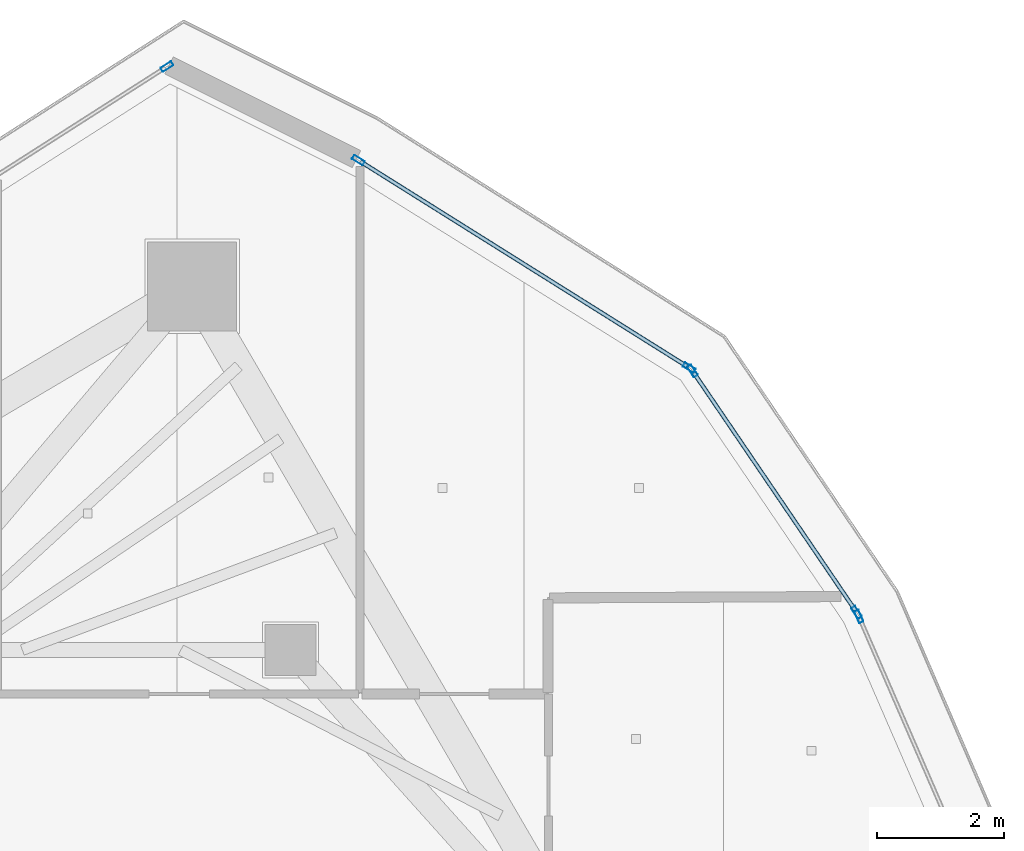
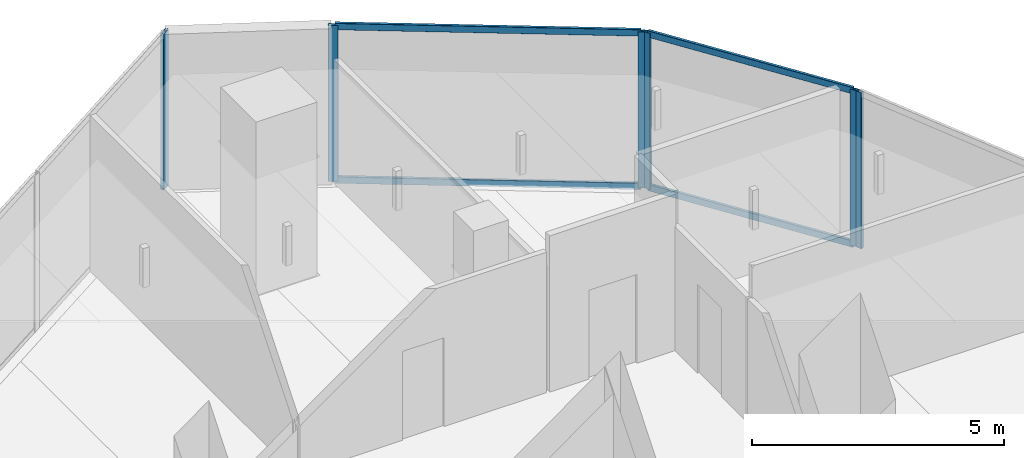
# One storey, part 16 of 26: 10 members, 4 elements without a shape of their own.
"""IFC4 building model written with IfcOpenShell, lengths in metres."""

from ifc_helpers import new_model, si_unit, direction, frame, origin, origin_2d, place, context, subcontext, project, spatial, hollow_rectangle, extrude, material, layer, layer_set, material_profile, profile_set, type_object, element, aggregate, save


model = new_model("IFC4")

# Units and contexts
model_context = context("Model", 3, precision=1e-05, world=origin(), true_north=direction((0.0, 1.0)))
body_context = subcontext(model_context, "Body", "Model", "MODEL_VIEW")
ifc_project = project(units=[si_unit("LENGTHUNIT", "METRE"), si_unit("AREAUNIT", "SQUARE_METRE"), si_unit("VOLUMEUNIT", "CUBIC_METRE"), si_unit("PLANEANGLEUNIT", "RADIAN"), si_unit("MASSUNIT", "GRAM", prefix="KILO")], contexts=[model_context])

# Site, building, storey
site_placement = place(None, origin())
site = spatial("IfcSite", under=ifc_project, at=site_placement, CompositionType="ELEMENT")
building_placement = place(site_placement, origin())
building = spatial("IfcBuilding", under=site, at=building_placement, Name="Qorvath Tower", CompositionType="ELEMENT")
storey_placement = place(building_placement, frame((0.0, 0.0, 322.800048828125)))
storey = spatial("IfcBuildingStorey", under=building, at=storey_placement, Name="L75", CompositionType="ELEMENT", Elevation=322.800048828125)

# Curtain wall, member
ifc_material_1 = material(Name="Anodised aluminium and triple low-E glass", Category="aluminium")
ifc_layer = layer(ifc_material_1, 0.179931640625)
ifc_layer_set = layer_set([ifc_layer], Name="CW-SYS-4")
curtain_wall_type = type_object("IfcCurtainWallType", Name="CW-SYS-4", PredefinedType="NOTDEFINED", material=ifc_layer_set)
curtain_wall_1_placement = place(storey_placement, origin())
curtain_wall_1 = element("IfcCurtainWall", 1, at=curtain_wall_1_placement, inside=storey, type_object=curtain_wall_type, Name="Curtain Wall CW-4 CW-T-L75-12.1", PredefinedType="NOTDEFINED")
ifc_material_2 = material(Name="Anodised aluminium 6063-T6", Category="aluminium")
ifc_material_profile_1 = material_profile(ifc_material_2, hollow_rectangle(XDim=0.074951171875, YDim=0.199951171875, WallThickness=0.00390625, InnerFilletRadius=0.00390625, OuterFilletRadius=0.008056640625, at=origin_2d()), Name="CWM 200x75")
ifc_profile_set_1 = profile_set([ifc_material_profile_1], Name="Anodised aluminium 6063-T6")
member_type_1 = type_object("IfcMemberType", Name="CWM-200", PredefinedType="MULLION", material=ifc_profile_set_1)
member_1_placement = place(storey_placement, frame((-8.2529296875, 11.9775390625, 0.0), z_axis=(0.0, 0.0, 1.0), x_axis=(-0.917439987233, -0.397874188439, 0.0)))
member_1 = element("IfcMember", 2, at=member_1_placement, type_object=member_type_1, Name="CW-4 mullion 2", PredefinedType="MULLION", context=body_context, shape_type="SweptSolid", body=[
    extrude(hollow_rectangle(XDim=0.074951171875, YDim=0.199951171875, WallThickness=0.00390625, InnerFilletRadius=0.00390625, OuterFilletRadius=0.008056640625, at=origin_2d()), origin(), (0.0, 0.0, 1.0), 3.780029296875),
])
aggregate(curtain_wall_1, [member_1])

# Curtain wall, members
curtain_wall_2_placement = place(storey_placement, origin())
curtain_wall_2 = element("IfcCurtainWall", 3, at=curtain_wall_2_placement, inside=storey, type_object=curtain_wall_type, Name="Curtain Wall CW-4 CW-T-L75-13.1", PredefinedType="NOTDEFINED")
member_2_placement = place(storey_placement, frame((-8.288818359375, 12.04296875, 0.0), z_axis=(0.0, 0.0, 1.0), x_axis=(-0.827030019588, -0.56215775962, 0.0)))
member_2 = element("IfcMember", 4, at=member_2_placement, type_object=member_type_1, Name="CW-4 mullion 1", PredefinedType="MULLION", context=body_context, shape_type="SweptSolid", body=[
    extrude(hollow_rectangle(XDim=0.074951171875, YDim=0.199951171875, WallThickness=0.00390625, InnerFilletRadius=0.00390625, OuterFilletRadius=0.008056640625, at=origin_2d()), origin(), (0.0, 0.0, 1.0), 3.780029296875),
])
member_3_placement = place(storey_placement, frame((-10.87255859375, 15.843994140625, 0.0), z_axis=(0.0, 0.0, 1.0), x_axis=(-0.827030019588, -0.56215775962, 0.0)))
member_3 = element("IfcMember", 5, at=member_3_placement, type_object=member_type_1, Name="CW-4 mullion 2", PredefinedType="MULLION", context=body_context, shape_type="SweptSolid", body=[
    extrude(hollow_rectangle(XDim=0.074951171875, YDim=0.199951171875, WallThickness=0.00390625, InnerFilletRadius=0.00390625, OuterFilletRadius=0.008056640625, at=origin_2d()), origin(), (0.0, 0.0, 1.0), 3.780029296875),
])

curtain_wall_3_placement = place(storey_placement, origin())
curtain_wall_3 = element("IfcCurtainWall", 6, at=curtain_wall_3_placement, inside=storey, type_object=curtain_wall_type, Name="Curtain Wall CW-4 CW-T-L75-14.1", PredefinedType="NOTDEFINED")
member_4_placement = place(storey_placement, frame((-10.92529296875, 15.89501953125, 0.0), z_axis=(0.0, 0.0, 1.0), x_axis=(-0.531308786661, -0.847178241704, 0.0)))
member_4 = element("IfcMember", 7, at=member_4_placement, type_object=member_type_1, Name="CW-4 mullion 1", PredefinedType="MULLION", context=body_context, shape_type="SweptSolid", body=[
    extrude(hollow_rectangle(XDim=0.074951171875, YDim=0.199951171875, WallThickness=0.00390625, InnerFilletRadius=0.00390625, OuterFilletRadius=0.008056640625, at=origin_2d()), origin(), (0.0, 0.0, 1.0), 3.780029296875),
])
member_5_placement = place(storey_placement, frame((-16.13232421875, 19.160400390625, 0.0), z_axis=(0.0, 0.0, 1.0), x_axis=(-0.531308786661, -0.847178241704, 0.0)))
member_5 = element("IfcMember", 8, at=member_5_placement, type_object=member_type_1, Name="CW-4 mullion 2", PredefinedType="MULLION", context=body_context, shape_type="SweptSolid", body=[
    extrude(hollow_rectangle(XDim=0.074951171875, YDim=0.199951171875, WallThickness=0.00390625, InnerFilletRadius=0.00390625, OuterFilletRadius=0.008056640625, at=origin_2d()), origin(), (0.0, 0.0, 1.0), 3.780029296875),
])

# Curtain wall, member
curtain_wall_4_placement = place(storey_placement, origin())
curtain_wall_4 = element("IfcCurtainWall", 9, at=curtain_wall_4_placement, inside=storey, type_object=curtain_wall_type, Name="Curtain Wall CW-4 CW-T-L75-16.1", PredefinedType="NOTDEFINED")
member_6_placement = place(storey_placement, frame((-19.146240234375, 20.635498046875, 0.0), z_axis=(0.0, 0.0, 1.0), x_axis=(0.538535622768, -0.842602743296, 0.0)))
member_6 = element("IfcMember", 10, at=member_6_placement, type_object=member_type_1, Name="CW-4 mullion 1", PredefinedType="MULLION", context=body_context, shape_type="SweptSolid", body=[
    extrude(hollow_rectangle(XDim=0.074951171875, YDim=0.199951171875, WallThickness=0.00390625, InnerFilletRadius=0.00390625, OuterFilletRadius=0.008056640625, at=origin_2d()), origin(), (0.0, 0.0, 1.0), 3.780029296875),
])
aggregate(curtain_wall_4, [member_6])

# Member
ifc_material_3 = material(Name="Anodised aluminium 6063-T6", Category="aluminium")
ifc_material_profile_2 = material_profile(ifc_material_3, hollow_rectangle(XDim=0.06494140625, YDim=0.159912109375, WallThickness=0.00341796875, InnerFilletRadius=0.00341796875, OuterFilletRadius=0.007080078125, at=origin_2d()), Name="CWT 160x65")
ifc_profile_set_2 = profile_set([ifc_material_profile_2], Name="Anodised aluminium 6063-T6")
member_type_2 = type_object("IfcMemberType", Name="CWT-160", PredefinedType="USERDEFINED", material=ifc_profile_set_2)
member_7_placement = place(storey_placement, frame((-8.31005859375, 12.073974609375, 0.032470703125), z_axis=(-0.562117982192, 0.827057056131, 0.0), x_axis=(-0.827057056131, -0.562117982192, 0.0)))
member_7 = element("IfcMember", 11, at=member_7_placement, type_object=member_type_2, Name="CW-4 transom 1.1", ObjectType="TRANSOM", PredefinedType="USERDEFINED", context=body_context, shape_type="SweptSolid", body=[
    extrude(hollow_rectangle(XDim=0.06494140625, YDim=0.159912109375, WallThickness=0.00341796875, InnerFilletRadius=0.00341796875, OuterFilletRadius=0.007080078125, at=origin_2d()), origin(), (0.0, 0.0, 1.0), 4.520751953125),
])

member_8_placement = place(storey_placement, frame((-8.31005859375, 12.073974609375, 3.74755859375), z_axis=(-0.562117982192, 0.827057056131, 0.0), x_axis=(-0.827057056131, -0.562117982192, 0.0)))
member_8 = element("IfcMember", 12, at=member_8_placement, type_object=member_type_2, Name="CW-4 transom 1.2", ObjectType="TRANSOM", PredefinedType="USERDEFINED", context=body_context, shape_type="SweptSolid", body=[
    extrude(hollow_rectangle(XDim=0.06494140625, YDim=0.159912109375, WallThickness=0.00341796875, InnerFilletRadius=0.00341796875, OuterFilletRadius=0.007080078125, at=origin_2d()), origin(), (0.0, 0.0, 1.0), 4.520751953125),
])

aggregate(curtain_wall_2, [member_2, member_3, member_7, member_8])

member_9_placement = place(storey_placement, frame((-10.95703125, 15.914794921875, 0.032470703125), z_axis=(-0.847174981643, 0.531313984832, 0.0), x_axis=(-0.531313984832, -0.847174981643, 0.0)))
member_9 = element("IfcMember", 13, at=member_9_placement, type_object=member_type_2, Name="CW-4 transom 1.1", ObjectType="TRANSOM", PredefinedType="USERDEFINED", context=body_context, shape_type="SweptSolid", body=[
    extrude(hollow_rectangle(XDim=0.06494140625, YDim=0.159912109375, WallThickness=0.00341796875, InnerFilletRadius=0.00341796875, OuterFilletRadius=0.007080078125, at=origin_2d()), origin(), (0.0, 0.0, 1.0), 6.071533203125),
])

member_10_placement = place(storey_placement, frame((-10.95703125, 15.914794921875, 3.74755859375), z_axis=(-0.847174981643, 0.531313984832, 0.0), x_axis=(-0.531313984832, -0.847174981643, 0.0)))
member_10 = element("IfcMember", 14, at=member_10_placement, type_object=member_type_2, Name="CW-4 transom 1.2", ObjectType="TRANSOM", PredefinedType="USERDEFINED", context=body_context, shape_type="SweptSolid", body=[
    extrude(hollow_rectangle(XDim=0.06494140625, YDim=0.159912109375, WallThickness=0.00341796875, InnerFilletRadius=0.00341796875, OuterFilletRadius=0.007080078125, at=origin_2d()), origin(), (0.0, 0.0, 1.0), 6.071533203125),
])

aggregate(curtain_wall_3, [member_4, member_5, member_9, member_10])

save(model, "model.ifc")
